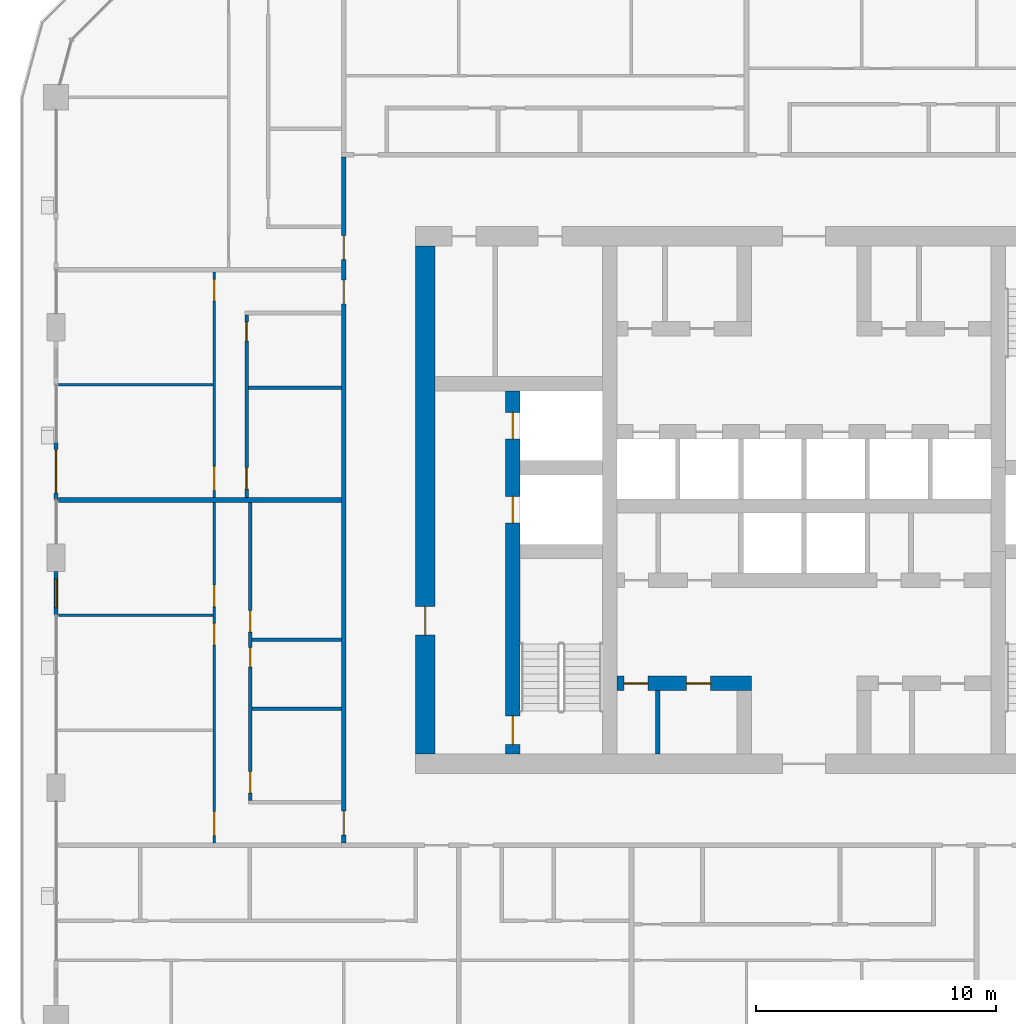
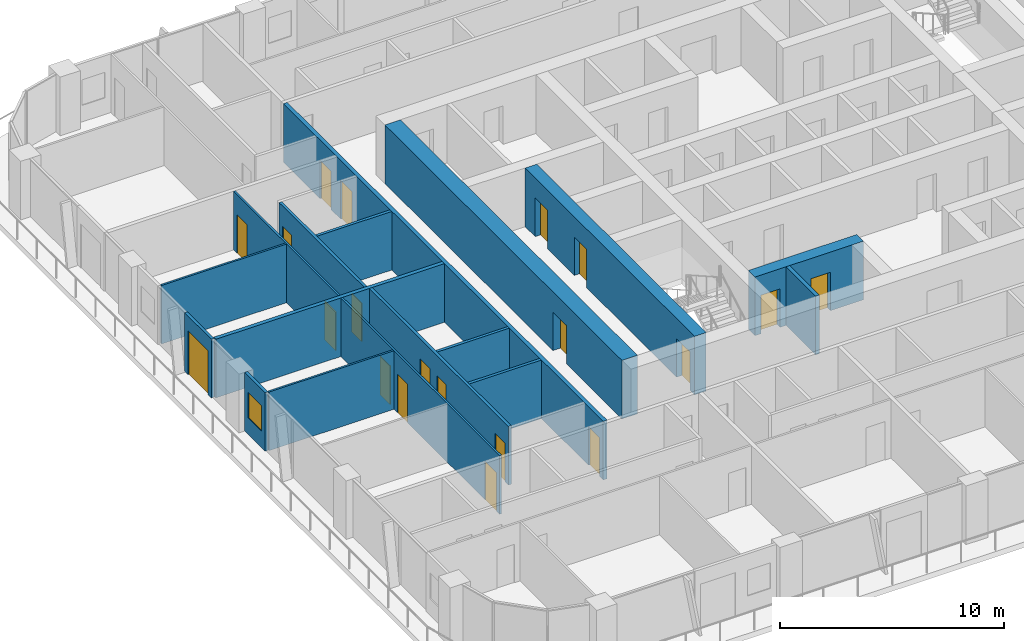
# One storey, part 10 of 22: 20 doors, 17 walls, 1 window, 21 openings.
"""IFC4 building model written with IfcOpenShell, lengths in metres."""

from ifc_helpers import new_model, si_unit, direction, frame, frame_2d, origin, place, context, subcontext, project, spatial, rectangle, extrude, material, layer, layer_set, type_object, element, fill, save


model = new_model("IFC4")

# Units and contexts
model_context = context("Model", 3, precision=1e-05, world=origin(), true_north=direction((0.0, 1.0)))
body_context = subcontext(model_context, "Body", "Model", "MODEL_VIEW")
ifc_project = project(units=[si_unit("LENGTHUNIT", "METRE"), si_unit("AREAUNIT", "SQUARE_METRE"), si_unit("VOLUMEUNIT", "CUBIC_METRE"), si_unit("PLANEANGLEUNIT", "RADIAN"), si_unit("MASSUNIT", "GRAM", prefix="KILO")], contexts=[model_context])

# Site, building, storey
site_placement = place(None, origin())
site = spatial("IfcSite", under=ifc_project, at=site_placement, CompositionType="ELEMENT")
building_placement = place(site_placement, origin())
building = spatial("IfcBuilding", under=site, at=building_placement, Name="Madar Terraces", CompositionType="ELEMENT")
storey_placement = place(building_placement, frame((0.0, 0.0, 166.5)))
storey = spatial("IfcBuildingStorey", under=building, at=storey_placement, Name="L43", CompositionType="ELEMENT", Elevation=166.5)

# Wall, openings, doors
ifc_material_1 = material(Name="Concrete C70/85", Category="concrete")
ifc_layer_1 = layer(ifc_material_1, 0.60009765625)
ifc_layer_set_1 = layer_set([ifc_layer_1], Name="Concrete C70/85 (CIW3 RC wall 600)")
wall_type_1 = type_object("IfcWallType", Name="CIW3 RC wall 600", PredefinedType="SHEAR", material=ifc_layer_set_1)
wall_1_placement = place(storey_placement, frame((19.050048828125, 15.800048828125, 0.0), z_axis=(0.0, 0.0, 1.0), x_axis=(0.0, 1.0, 0.0)))
wall_1 = element("IfcWall", 1, at=wall_1_placement, inside=storey, type_object=wall_type_1, Name="CORE SHAFT WALL", PredefinedType="SHEAR", context=body_context, shape_type="SweptSolid", body=[
    extrude(rectangle(XDim=15.14990234375, YDim=0.60009765625, at=frame_2d((7.574951171875, 0.0))), origin(), (0.0, 0.0, 1.0), 3.199951171875),
])
opening_1_placement = place(wall_1_placement, frame((9.64990234375, 0.0, 0.0)))
opening_1 = element("IfcOpeningElement", 2, at=opening_1_placement, cuts=wall_1, Name="Opening LD", PredefinedType="OPENING", context=body_context, shape_type="SweptSolid", body=[
    extrude(rectangle(XDim=1.10009765625, YDim=2.10009765625, at=frame_2d((0.550048828125, 1.050048828125))), frame((0.0, 0.31005859375, 0.0), z_axis=(0.0, -1.0, 0.0), x_axis=(1.0, 0.0, 0.0)), (0.0, 0.0, 1.0), 0.6201171875),
])
opening_2_placement = place(wall_1_placement, frame((13.14990234375, 0.0, 0.0)))
opening_2 = element("IfcOpeningElement", 3, at=opening_2_placement, cuts=wall_1, Name="Opening LD", PredefinedType="OPENING", context=body_context, shape_type="SweptSolid", body=[
    extrude(rectangle(XDim=1.10009765625, YDim=2.10009765625, at=frame_2d((0.550048828125, 1.050048828125))), frame((0.0, 0.31005859375, 0.0), z_axis=(0.0, -1.0, 0.0), x_axis=(1.0, 0.0, 0.0)), (0.0, 0.0, 1.0), 0.6201171875),
])
opening_3_placement = place(wall_1_placement, frame((0.39990234375, 0.0, 0.0)))
opening_3 = element("IfcOpeningElement", 4, at=opening_3_placement, cuts=wall_1, Name="Opening SD1", PredefinedType="OPENING", context=body_context, shape_type="SweptSolid", body=[
    extrude(rectangle(XDim=1.199951171875, YDim=2.10009765625, at=frame_2d((0.60009765625, 1.050048828125))), frame((0.0, 0.31005859375, 0.0), z_axis=(0.0, -1.0, 0.0), x_axis=(1.0, 0.0, 0.0)), (0.0, 0.0, 1.0), 0.6201171875),
])
ifc_material_2 = material(Name="Stainless steel panel", Category="steel")
door_type_1 = type_object("IfcDoorType", Name="Lift landing door 1100 x 2100", OperationType="DOUBLE_DOOR_SLIDING", PredefinedType="DOOR", material=ifc_material_2)
door_1_placement = place(opening_1_placement, origin())
door_1 = element("IfcDoor", 5, at=door_1_placement, inside=storey, type_object=door_type_1, Name="LIFT LANDING DOOR", OperationType="DOUBLE_DOOR_SLIDING", OverallHeight=2.10009765625, OverallWidth=1.10009765625, PredefinedType="DOOR", context=body_context, shape_type="SweptSolid", body=[
    extrude(rectangle(XDim=1.10009765625, YDim=2.10009765625, at=frame_2d((0.550048828125, 1.050048828125))), frame((0.0, 0.02490234375, 0.0), z_axis=(0.0, -1.0, 0.0), x_axis=(1.0, 0.0, 0.0)), (0.0, 0.0, 1.0), 0.050048828125),
])
fill(opening_1, door_1)
door_2_placement = place(opening_2_placement, origin())
door_2 = element("IfcDoor", 6, at=door_2_placement, inside=storey, type_object=door_type_1, Name="LIFT LANDING DOOR", OperationType="DOUBLE_DOOR_SLIDING", OverallHeight=2.10009765625, OverallWidth=1.10009765625, PredefinedType="DOOR", context=body_context, shape_type="SweptSolid", body=[
    extrude(rectangle(XDim=1.10009765625, YDim=2.10009765625, at=frame_2d((0.550048828125, 1.050048828125))), frame((0.0, 0.02490234375, 0.0), z_axis=(0.0, -1.0, 0.0), x_axis=(1.0, 0.0, 0.0)), (0.0, 0.0, 1.0), 0.050048828125),
])
fill(opening_2, door_2)
ifc_material_3 = material(Name="Steel door leaf", Category="steel")
door_type_2 = type_object("IfcDoorType", Name="Stair door 1200 x 2100", OperationType="NOTDEFINED", PredefinedType="DOOR", material=ifc_material_3)
door_3_placement = place(opening_3_placement, frame((1.199951171875, 0.0, 0.0), z_axis=(0.0, 0.0, 1.0), x_axis=(-1.0, 0.0, 0.0)))
door_3 = element("IfcDoor", 7, at=door_3_placement, inside=storey, type_object=door_type_2, Name="STAIR DOOR", OperationType="SINGLE_SWING_LEFT", OverallHeight=2.10009765625, OverallWidth=1.199951171875, PredefinedType="DOOR", context=body_context, shape_type="SweptSolid", body=[
    extrude(rectangle(XDim=1.199951171875, YDim=2.10009765625, at=frame_2d((0.60009765625, 1.050048828125))), frame((0.0, 0.02490234375, 0.0), z_axis=(0.0, -1.0, 0.0), x_axis=(1.0, 0.0, 0.0)), (0.0, 0.0, 1.0), 0.050048828125),
])
fill(opening_3, door_3)

wall_2_placement = place(storey_placement, frame((23.39990234375, 18.75, 0.0), z_axis=(0.0, 0.0, 1.0), x_axis=(1.0, 0.0, 0.0)))
wall_2 = element("IfcWall", 8, at=wall_2_placement, inside=storey, type_object=wall_type_1, Name="CORE SHAFT WALL", PredefinedType="SHEAR", context=body_context, shape_type="SweptSolid", body=[
    extrude(rectangle(XDim=5.60009765625, YDim=0.60009765625, at=frame_2d((2.800048828125, 0.0))), origin(), (0.0, 0.0, 1.0), 3.199951171875),
])
opening_4_placement = place(wall_2_placement, frame((0.300048828125, 0.0, 0.0)))
opening_4 = element("IfcOpeningElement", 9, at=opening_4_placement, cuts=wall_2, Name="Opening KD2", PredefinedType="OPENING", context=body_context, shape_type="SweptSolid", body=[
    extrude(rectangle(XDim=1.0, YDim=2.10009765625, at=frame_2d((0.5, 1.050048828125))), frame((0.0, 0.31005859375, 0.0), z_axis=(0.0, -1.0, 0.0), x_axis=(1.0, 0.0, 0.0)), (0.0, 0.0, 1.0), 0.6201171875),
])
opening_5_placement = place(wall_2_placement, frame((2.89990234375, 0.0, 0.0)))
opening_5 = element("IfcOpeningElement", 10, at=opening_5_placement, cuts=wall_2, Name="Opening KD2", PredefinedType="OPENING", context=body_context, shape_type="SweptSolid", body=[
    extrude(rectangle(XDim=1.0, YDim=2.10009765625, at=frame_2d((0.5, 1.050048828125))), frame((0.0, 0.31005859375, 0.0), z_axis=(0.0, -1.0, 0.0), x_axis=(1.0, 0.0, 0.0)), (0.0, 0.0, 1.0), 0.6201171875),
])
ifc_material_4 = material(Name="Steel door leaf", Category="steel")
door_type_3 = type_object("IfcDoorType", Name="Service room door 1000 x 2100", OperationType="NOTDEFINED", PredefinedType="DOOR", material=ifc_material_4)
door_4_placement = place(opening_4_placement, origin())
door_4 = element("IfcDoor", 11, at=door_4_placement, inside=storey, type_object=door_type_3, Name="SERVICE ROOM DOOR", OperationType="SINGLE_SWING_RIGHT", OverallHeight=2.10009765625, OverallWidth=1.0, PredefinedType="DOOR", context=body_context, shape_type="SweptSolid", body=[
    extrude(rectangle(XDim=1.0, YDim=2.10009765625, at=frame_2d((0.5, 1.050048828125))), frame((0.0, 0.02490234375, 0.0), z_axis=(0.0, -1.0, 0.0), x_axis=(1.0, 0.0, 0.0)), (0.0, 0.0, 1.0), 0.050048828125),
])
fill(opening_4, door_4)
door_5_placement = place(opening_5_placement, origin())
door_5 = element("IfcDoor", 12, at=door_5_placement, inside=storey, type_object=door_type_3, Name="SERVICE ROOM DOOR", OperationType="SINGLE_SWING_LEFT", OverallHeight=2.10009765625, OverallWidth=1.0, PredefinedType="DOOR", context=body_context, shape_type="SweptSolid", body=[
    extrude(rectangle(XDim=1.0, YDim=2.10009765625, at=frame_2d((0.5, 1.050048828125))), frame((0.0, 0.02490234375, 0.0), z_axis=(0.0, -1.0, 0.0), x_axis=(1.0, 0.0, 0.0)), (0.0, 0.0, 1.0), 0.050048828125),
])
fill(opening_5, door_5)

# Wall, opening, door
ifc_material_5 = material(Name="Concrete C70/85", Category="concrete")
ifc_layer_2 = layer(ifc_material_5, 0.800048828125)
ifc_layer_set_2 = layer_set([ifc_layer_2], Name="Concrete C70/85 (CRW3 RC wall 800)")
wall_type_2 = type_object("IfcWallType", Name="CRW3 RC wall 800", PredefinedType="SHEAR", material=ifc_layer_set_2)
wall_3_placement = place(storey_placement, frame((15.39990234375, 15.800048828125, 0.0), z_axis=(0.0, 0.0, 1.0), x_axis=(0.0, 1.0, 0.0)))
wall_3 = element("IfcWall", 13, at=wall_3_placement, inside=storey, type_object=wall_type_2, Name="CORE OUTER WALL", PredefinedType="SHEAR", context=body_context, shape_type="SweptSolid", body=[
    extrude(rectangle(XDim=21.199951171875, YDim=0.800048828125, at=frame_2d((10.60009765625, 0.0))), origin(), (0.0, 0.0, 1.0), 3.199951171875),
])
opening_6_placement = place(wall_3_placement, frame((4.9599609375, 0.0, 0.0)))
opening_6 = element("IfcOpeningElement", 14, at=opening_6_placement, cuts=wall_3, Name="Opening SD1", PredefinedType="OPENING", context=body_context, shape_type="SweptSolid", body=[
    extrude(rectangle(XDim=1.199951171875, YDim=2.10009765625, at=frame_2d((0.60009765625, 1.050048828125))), frame((0.0, 0.409912109375, 0.0), z_axis=(0.0, -1.0, 0.0), x_axis=(1.0, 0.0, 0.0)), (0.0, 0.0, 1.0), 0.820068359375),
])
door_6_placement = place(opening_6_placement, frame((1.199951171875, 0.0, 0.0), z_axis=(0.0, 0.0, 1.0), x_axis=(-1.0, 0.0, 0.0)))
door_6 = element("IfcDoor", 15, at=door_6_placement, inside=storey, type_object=door_type_2, Name="STAIR DOOR", OperationType="SINGLE_SWING_RIGHT", OverallHeight=2.10009765625, OverallWidth=1.199951171875, PredefinedType="DOOR", context=body_context, shape_type="SweptSolid", body=[
    extrude(rectangle(XDim=1.199951171875, YDim=2.10009765625, at=frame_2d((0.60009765625, 1.050048828125))), frame((0.0, 0.02490234375, 0.0), z_axis=(0.0, -1.0, 0.0), x_axis=(1.0, 0.0, 0.0)), (0.0, 0.0, 1.0), 0.050048828125),
])
fill(opening_6, door_6)

# Wall
ifc_material_6 = material(Name="Masonry blockwork", Category="masonry")
ifc_layer_3 = layer(ifc_material_6, 0.199951171875)
ifc_layer_set_3 = layer_set([ifc_layer_3], Name="Core partition 200 blockwork")
wall_type_3 = type_object("IfcWallType", Name="Core partition 200 blockwork", PredefinedType="PARTITIONING", material=ifc_layer_set_3)
wall_4_placement = place(storey_placement, frame((25.10009765625, 15.800048828125, 0.0), z_axis=(0.0, 0.0, 1.0), x_axis=(0.0, 1.0, 0.0)))
element("IfcWall", 16, at=wall_4_placement, inside=storey, type_object=wall_type_3, Name="SERVICE ROOM PARTITION", PredefinedType="PARTITIONING", context=body_context, shape_type="SweptSolid", body=[
    extrude(rectangle(XDim=2.64990234375, YDim=0.199951171875, at=frame_2d((1.324951171875, 0.0))), origin(), (0.0, 0.0, 1.0), 3.199951171875),
])

# Wall, opening, door
ifc_material_7 = material(Name="Aluminium composite panel, black, over insulated backing", Category="aluminium")
ifc_layer_4 = layer(ifc_material_7, 0.14990234375)
ifc_layer_set_4 = layer_set([ifc_layer_4], Name="Facade bay panel 150")
wall_type_4 = type_object("IfcWallType", Name="Facade bay panel 150", PredefinedType="SOLIDWALL", material=ifc_layer_set_4)
wall_5_placement = place(storey_placement, frame((0.0, 28.800048828125, 0.0), z_axis=(0.0, 0.0, 1.0), x_axis=(0.0, -1.0, 0.0)))
wall_5 = element("IfcWall", 17, at=wall_5_placement, inside=storey, type_object=wall_type_4, Name="Facade bay panel", PredefinedType="SOLIDWALL", context=body_context, shape_type="SweptSolid", body=[
    extrude(rectangle(XDim=2.400146484375, YDim=0.14990234375, at=frame_2d((1.2001953125, 0.0))), origin(), (0.0, 0.0, 1.0), 3.199951171875),
])
opening_7_placement = place(wall_5_placement, frame((0.300048828125, 0.0, 0.0)))
opening_7 = element("IfcOpeningElement", 18, at=opening_7_placement, cuts=wall_5, Name="Opening ED1", PredefinedType="OPENING", context=body_context, shape_type="SweptSolid", body=[
    extrude(rectangle(XDim=1.800048828125, YDim=2.39990234375, at=frame_2d((0.89990234375, 1.199951171875))), frame((0.0, 0.0849609375, 0.0), z_axis=(0.0, -1.0, 0.0), x_axis=(1.0, 0.0, 0.0)), (0.0, 0.0, 1.0), 0.169921875),
])
ifc_material_8 = material(Name="Glass, clear, with black aluminium frame", Category="aluminium")
door_type_4 = type_object("IfcDoorType", Name="Balcony and terrace sliding door 1800 x 2400", OperationType="SLIDING_TO_LEFT", PredefinedType="DOOR", material=ifc_material_8)
door_7_placement = place(opening_7_placement, origin())
door_7 = element("IfcDoor", 19, at=door_7_placement, inside=storey, type_object=door_type_4, Name="Balcony door", OperationType="SLIDING_TO_RIGHT", OverallHeight=2.39990234375, OverallWidth=1.800048828125, PredefinedType="DOOR", context=body_context, shape_type="SweptSolid", body=[
    extrude(rectangle(XDim=1.800048828125, YDim=2.39990234375, at=frame_2d((0.89990234375, 1.199951171875))), frame((0.0, 0.02490234375, 0.0), z_axis=(0.0, -1.0, 0.0), x_axis=(1.0, 0.0, 0.0)), (0.0, 0.0, 1.0), 0.050048828125),
])
fill(opening_7, door_7)

# Wall, opening, window
wall_6_placement = place(storey_placement, frame((0.0, 23.425048828125, 0.0), z_axis=(0.0, 0.0, 1.0), x_axis=(0.0, -1.0, 0.0)))
wall_6 = element("IfcWall", 20, at=wall_6_placement, inside=storey, type_object=wall_type_4, Name="Facade bay panel", PredefinedType="SOLIDWALL", context=body_context, shape_type="SweptSolid", body=[
    extrude(rectangle(XDim=1.824951171875, YDim=0.14990234375, at=frame_2d((0.91259765625, 0.0))), origin(), (0.0, 0.0, 1.0), 3.199951171875),
])
opening_8_placement = place(wall_6_placement, frame((0.3125, 0.0, 0.89990234375)))
opening_8 = element("IfcOpeningElement", 21, at=opening_8_placement, cuts=wall_6, Name="Opening W1", PredefinedType="OPENING", context=body_context, shape_type="SweptSolid", body=[
    extrude(rectangle(XDim=1.199951171875, YDim=1.39990234375, at=frame_2d((0.60009765625, 0.699951171875))), frame((0.0, 0.0849609375, 0.0), z_axis=(0.0, -1.0, 0.0), x_axis=(1.0, 0.0, 0.0)), (0.0, 0.0, 1.0), 0.169921875),
])
ifc_material_9 = material(Name="Glass, clear, with black aluminium frame", Category="aluminium")
window_type = type_object("IfcWindowType", Name="Vent window 1200 x 1400", PartitioningType="SINGLE_PANEL", PredefinedType="WINDOW", material=ifc_material_9)
window_placement = place(opening_8_placement, origin())
window = element("IfcWindow", 22, at=window_placement, inside=storey, type_object=window_type, Name="Operable vent window", OverallHeight=1.39990234375, OverallWidth=1.199951171875, PartitioningType="SINGLE_PANEL", PredefinedType="WINDOW", context=body_context, shape_type="SweptSolid", body=[
    extrude(rectangle(XDim=1.199951171875, YDim=1.39990234375, at=frame_2d((0.60009765625, 0.699951171875))), frame((0.0, 0.030029296875, 0.0), z_axis=(0.0, -1.0, 0.0), x_axis=(1.0, 0.0, 0.0)), (0.0, 0.0, 1.0), 0.06005859375),
])
fill(opening_8, window)

# Wall
ifc_material_10 = material(Name="Gypsum board on steel studs", Category="steel")
ifc_layer_5 = layer(ifc_material_10, 0.10009765625)
ifc_layer_set_5 = layer_set([ifc_layer_5], Name="Flat partition 100")
wall_type_5 = type_object("IfcWallType", Name="Flat partition 100", PredefinedType="PARTITIONING", material=ifc_layer_set_5)
wall_7_placement = place(storey_placement, frame((6.550048828125, 31.199951171875, 0.0), z_axis=(0.0, 0.0, 1.0), x_axis=(-1.0, 0.0, 0.0)))
element("IfcWall", 23, at=wall_7_placement, inside=storey, type_object=wall_type_5, Name="Flat partition 100", PredefinedType="PARTITIONING", context=body_context, shape_type="SweptSolid", body=[
    extrude(rectangle(XDim=6.449951171875, YDim=0.10009765625, at=frame_2d((3.22509765625, 0.0))), origin(), (0.0, 0.0, 1.0), 3.199951171875),
])

# Wall, openings, doors
wall_8_placement = place(storey_placement, frame((6.60009765625, 26.5, 0.0), z_axis=(0.0, 0.0, 1.0), x_axis=(0.0, 1.0, 0.0)))
wall_8 = element("IfcWall", 24, at=wall_8_placement, inside=storey, type_object=wall_type_5, Name="Flat partition 100", PredefinedType="PARTITIONING", context=body_context, shape_type="SweptSolid", body=[
    extrude(rectangle(XDim=9.39990234375, YDim=0.10009765625, at=frame_2d((4.699951171875, 0.0))), origin(), (0.0, 0.0, 1.0), 3.199951171875),
])
opening_9_placement = place(wall_8_placement, frame((8.199951171875, 0.0, 0.0)))
opening_9 = element("IfcOpeningElement", 25, at=opening_9_placement, cuts=wall_8, Name="Opening D2", PredefinedType="OPENING", context=body_context, shape_type="SweptSolid", body=[
    extrude(rectangle(XDim=0.89990234375, YDim=2.10009765625, at=frame_2d((0.449951171875, 1.050048828125))), frame((0.0, 0.06005859375, 0.0), z_axis=(0.0, -1.0, 0.0), x_axis=(1.0, 0.0, 0.0)), (0.0, 0.0, 1.0), 0.1201171875),
])
opening_10_placement = place(wall_8_placement, frame((0.300048828125, 0.0, 0.0)))
opening_10 = element("IfcOpeningElement", 26, at=opening_10_placement, cuts=wall_8, Name="Opening D3", PredefinedType="OPENING", context=body_context, shape_type="SweptSolid", body=[
    extrude(rectangle(XDim=1.0, YDim=2.10009765625, at=frame_2d((0.5, 1.050048828125))), frame((0.0, 0.06005859375, 0.0), z_axis=(0.0, -1.0, 0.0), x_axis=(1.0, 0.0, 0.0)), (0.0, 0.0, 1.0), 0.1201171875),
])
ifc_material_11 = material(Name="Timber door leaf", Category="wood")
door_type_5 = type_object("IfcDoorType", Name="Flat living room door 1000", OperationType="NOTDEFINED", PredefinedType="DOOR", material=ifc_material_11)
door_8_placement = place(opening_10_placement, origin())
door_8 = element("IfcDoor", 27, at=door_8_placement, inside=storey, type_object=door_type_5, Name="Flat living room door 1000", OperationType="SINGLE_SWING_LEFT", OverallHeight=2.10009765625, OverallWidth=1.0, PredefinedType="DOOR", context=body_context, shape_type="SweptSolid", body=[
    extrude(rectangle(XDim=1.0, YDim=2.10009765625, at=frame_2d((0.5, 1.050048828125))), frame((0.0, 0.02490234375, 0.0), z_axis=(0.0, -1.0, 0.0), x_axis=(1.0, 0.0, 0.0)), (0.0, 0.0, 1.0), 0.050048828125),
])
fill(opening_10, door_8)
ifc_material_12 = material(Name="Timber door leaf", Category="wood")
door_type_6 = type_object("IfcDoorType", Name="Flat room door 900", OperationType="NOTDEFINED", PredefinedType="DOOR", material=ifc_material_12)
door_9_placement = place(opening_9_placement, origin())
door_9 = element("IfcDoor", 28, at=door_9_placement, inside=storey, type_object=door_type_6, Name="Flat room door 900", OperationType="SINGLE_SWING_RIGHT", OverallHeight=2.10009765625, OverallWidth=0.89990234375, PredefinedType="DOOR", context=body_context, shape_type="SweptSolid", body=[
    extrude(rectangle(XDim=0.89990234375, YDim=2.10009765625, at=frame_2d((0.449951171875, 1.050048828125))), frame((0.0, 0.02490234375, 0.0), z_axis=(0.0, -1.0, 0.0), x_axis=(1.0, 0.0, 0.0)), (0.0, 0.0, 1.0), 0.050048828125),
])
fill(opening_9, door_9)

# Wall
wall_9_placement = place(storey_placement, frame((6.550048828125, 21.60009765625, 0.0), z_axis=(0.0, 0.0, 1.0), x_axis=(-1.0, 0.0, 0.0)))
element("IfcWall", 29, at=wall_9_placement, inside=storey, type_object=wall_type_5, Name="Flat partition 100", PredefinedType="PARTITIONING", context=body_context, shape_type="SweptSolid", body=[
    extrude(rectangle(XDim=6.449951171875, YDim=0.10009765625, at=frame_2d((3.22509765625, 0.0))), origin(), (0.0, 0.0, 1.0), 3.199951171875),
])

# Wall, openings, doors
wall_10_placement = place(storey_placement, frame((6.60009765625, 12.10009765625, 0.0), z_axis=(0.0, 0.0, 1.0), x_axis=(0.0, 1.0, 0.0)))
wall_10 = element("IfcWall", 30, at=wall_10_placement, inside=storey, type_object=wall_type_5, Name="Flat partition 100", PredefinedType="PARTITIONING", context=body_context, shape_type="SweptSolid", body=[
    extrude(rectangle(XDim=14.199951171875, YDim=0.10009765625, at=frame_2d((7.10009765625, 0.0))), origin(), (0.0, 0.0, 1.0), 3.199951171875),
])
opening_11_placement = place(wall_10_placement, frame((0.300048828125, 0.0, 0.0)))
opening_11 = element("IfcOpeningElement", 31, at=opening_11_placement, cuts=wall_10, Name="Opening D3", PredefinedType="OPENING", context=body_context, shape_type="SweptSolid", body=[
    extrude(rectangle(XDim=1.0, YDim=2.10009765625, at=frame_2d((0.5, 1.050048828125))), frame((0.0, 0.06005859375, 0.0), z_axis=(0.0, -1.0, 0.0), x_axis=(1.0, 0.0, 0.0)), (0.0, 0.0, 1.0), 0.1201171875),
])
opening_12_placement = place(wall_10_placement, frame((8.25, 0.0, 0.0)))
opening_12 = element("IfcOpeningElement", 32, at=opening_12_placement, cuts=wall_10, Name="Opening D2", PredefinedType="OPENING", context=body_context, shape_type="SweptSolid", body=[
    extrude(rectangle(XDim=0.89990234375, YDim=2.10009765625, at=frame_2d((0.449951171875, 1.050048828125))), frame((0.0, 0.06005859375, 0.0), z_axis=(0.0, -1.0, 0.0), x_axis=(1.0, 0.0, 0.0)), (0.0, 0.0, 1.0), 0.1201171875),
])
opening_13_placement = place(wall_10_placement, frame((9.85009765625, 0.0, 0.0)))
opening_13 = element("IfcOpeningElement", 33, at=opening_13_placement, cuts=wall_10, Name="Opening D2", PredefinedType="OPENING", context=body_context, shape_type="SweptSolid", body=[
    extrude(rectangle(XDim=0.89990234375, YDim=2.10009765625, at=frame_2d((0.449951171875, 1.050048828125))), frame((0.0, 0.06005859375, 0.0), z_axis=(0.0, -1.0, 0.0), x_axis=(1.0, 0.0, 0.0)), (0.0, 0.0, 1.0), 0.1201171875),
])
door_10_placement = place(opening_11_placement, origin())
door_10 = element("IfcDoor", 34, at=door_10_placement, inside=storey, type_object=door_type_5, Name="Flat living room door 1000", OperationType="SINGLE_SWING_LEFT", OverallHeight=2.10009765625, OverallWidth=1.0, PredefinedType="DOOR", context=body_context, shape_type="SweptSolid", body=[
    extrude(rectangle(XDim=1.0, YDim=2.10009765625, at=frame_2d((0.5, 1.050048828125))), frame((0.0, 0.02490234375, 0.0), z_axis=(0.0, -1.0, 0.0), x_axis=(1.0, 0.0, 0.0)), (0.0, 0.0, 1.0), 0.050048828125),
])
fill(opening_11, door_10)
door_11_placement = place(opening_12_placement, origin())
door_11 = element("IfcDoor", 35, at=door_11_placement, inside=storey, type_object=door_type_6, Name="Flat room door 900", OperationType="SINGLE_SWING_RIGHT", OverallHeight=2.10009765625, OverallWidth=0.89990234375, PredefinedType="DOOR", context=body_context, shape_type="SweptSolid", body=[
    extrude(rectangle(XDim=0.89990234375, YDim=2.10009765625, at=frame_2d((0.449951171875, 1.050048828125))), frame((0.0, 0.02490234375, 0.0), z_axis=(0.0, -1.0, 0.0), x_axis=(1.0, 0.0, 0.0)), (0.0, 0.0, 1.0), 0.050048828125),
])
fill(opening_12, door_11)
door_12_placement = place(opening_13_placement, origin())
door_12 = element("IfcDoor", 36, at=door_12_placement, inside=storey, type_object=door_type_6, Name="Flat room door 900", OperationType="SINGLE_SWING_LEFT", OverallHeight=2.10009765625, OverallWidth=0.89990234375, PredefinedType="DOOR", context=body_context, shape_type="SweptSolid", body=[
    extrude(rectangle(XDim=0.89990234375, YDim=2.10009765625, at=frame_2d((0.449951171875, 1.050048828125))), frame((0.0, 0.02490234375, 0.0), z_axis=(0.0, -1.0, 0.0), x_axis=(1.0, 0.0, 0.0)), (0.0, 0.0, 1.0), 0.050048828125),
])
fill(opening_13, door_12)

ifc_material_13 = material(Name="Lightweight blockwork", Category="masonry")
ifc_layer_6 = layer(ifc_material_13, 0.199951171875)
ifc_layer_set_6 = layer_set([ifc_layer_6], Name="Flat party and entrance wall 200")
wall_type_6 = type_object("IfcWallType", Name="Flat party and entrance wall 200", PredefinedType="PARTITIONING", material=ifc_layer_set_6)
wall_11_placement = place(storey_placement, frame((12.0, 12.10009765625, 0.0), z_axis=(0.0, 0.0, 1.0), x_axis=(0.0, 1.0, 0.0)))
wall_11 = element("IfcWall", 37, at=wall_11_placement, inside=storey, type_object=wall_type_6, Name="Flat party and entrance wall 200", PredefinedType="PARTITIONING", context=body_context, shape_type="SweptSolid", body=[
    extrude(rectangle(XDim=28.599853515625, YDim=0.199951171875, at=frame_2d((14.2998046875, 0.0))), origin(), (0.0, 0.0, 1.0), 3.199951171875),
])
opening_14_placement = place(wall_11_placement, frame((24.324951171875, 0.0, 0.0)))
opening_14 = element("IfcOpeningElement", 38, at=opening_14_placement, cuts=wall_11, Name="Opening D1", PredefinedType="OPENING", context=body_context, shape_type="SweptSolid", body=[
    extrude(rectangle(XDim=1.0, YDim=2.10009765625, at=frame_2d((0.5, 1.050048828125))), frame((0.0, 0.10986328125, 0.0), z_axis=(0.0, -1.0, 0.0), x_axis=(1.0, 0.0, 0.0)), (0.0, 0.0, 1.0), 0.219970703125),
])
opening_15_placement = place(wall_11_placement, frame((22.47509765625, 0.0, 0.0)))
opening_15 = element("IfcOpeningElement", 39, at=opening_15_placement, cuts=wall_11, Name="Opening D1", PredefinedType="OPENING", context=body_context, shape_type="SweptSolid", body=[
    extrude(rectangle(XDim=1.0, YDim=2.10009765625, at=frame_2d((0.5, 1.050048828125))), frame((0.0, 0.10986328125, 0.0), z_axis=(0.0, -1.0, 0.0), x_axis=(1.0, 0.0, 0.0)), (0.0, 0.0, 1.0), 0.219970703125),
])
opening_16_placement = place(wall_11_placement, frame((0.324951171875, 0.0, 0.0)))
opening_16 = element("IfcOpeningElement", 40, at=opening_16_placement, cuts=wall_11, Name="Opening D1", PredefinedType="OPENING", context=body_context, shape_type="SweptSolid", body=[
    extrude(rectangle(XDim=1.0, YDim=2.10009765625, at=frame_2d((0.5, 1.050048828125))), frame((0.0, 0.10986328125, 0.0), z_axis=(0.0, -1.0, 0.0), x_axis=(1.0, 0.0, 0.0)), (0.0, 0.0, 1.0), 0.219970703125),
])
ifc_material_14 = material(Name="Timber fire door leaf", Category="wood")
door_type_7 = type_object("IfcDoorType", Name="Flat entrance door 1000 FD30S", OperationType="NOTDEFINED", PredefinedType="DOOR", material=ifc_material_14)
door_13_placement = place(opening_14_placement, origin())
door_13 = element("IfcDoor", 41, at=door_13_placement, inside=storey, type_object=door_type_7, Name="Flat entrance door 1000 FD30S", OperationType="SINGLE_SWING_LEFT", OverallHeight=2.10009765625, OverallWidth=1.0, PredefinedType="DOOR", context=body_context, shape_type="SweptSolid", body=[
    extrude(rectangle(XDim=1.0, YDim=2.10009765625, at=frame_2d((0.5, 1.050048828125))), frame((0.0, 0.02490234375, 0.0), z_axis=(0.0, -1.0, 0.0), x_axis=(1.0, 0.0, 0.0)), (0.0, 0.0, 1.0), 0.050048828125),
])
fill(opening_14, door_13)
door_14_placement = place(opening_15_placement, origin())
door_14 = element("IfcDoor", 42, at=door_14_placement, inside=storey, type_object=door_type_7, Name="Flat entrance door 1000 FD30S", OperationType="SINGLE_SWING_RIGHT", OverallHeight=2.10009765625, OverallWidth=1.0, PredefinedType="DOOR", context=body_context, shape_type="SweptSolid", body=[
    extrude(rectangle(XDim=1.0, YDim=2.10009765625, at=frame_2d((0.5, 1.050048828125))), frame((0.0, 0.02490234375, 0.0), z_axis=(0.0, -1.0, 0.0), x_axis=(1.0, 0.0, 0.0)), (0.0, 0.0, 1.0), 0.050048828125),
])
fill(opening_15, door_14)
door_15_placement = place(opening_16_placement, origin())
door_15 = element("IfcDoor", 43, at=door_15_placement, inside=storey, type_object=door_type_7, Name="Flat entrance door 1000 FD30S", OperationType="SINGLE_SWING_LEFT", OverallHeight=2.10009765625, OverallWidth=1.0, PredefinedType="DOOR", context=body_context, shape_type="SweptSolid", body=[
    extrude(rectangle(XDim=1.0, YDim=2.10009765625, at=frame_2d((0.5, 1.050048828125))), frame((0.0, 0.02490234375, 0.0), z_axis=(0.0, -1.0, 0.0), x_axis=(1.0, 0.0, 0.0)), (0.0, 0.0, 1.0), 0.050048828125),
])
fill(opening_16, door_15)

# Walls
wall_12_placement = place(storey_placement, frame((0.10009765625, 26.39990234375, 0.0), z_axis=(0.0, 0.0, 1.0), x_axis=(1.0, 0.0, 0.0)))
element("IfcWall", 44, at=wall_12_placement, inside=storey, type_object=wall_type_6, Name="Flat party and entrance wall 200", PredefinedType="PARTITIONING", context=body_context, shape_type="SweptSolid", body=[
    extrude(rectangle(XDim=11.7998046875, YDim=0.199951171875, at=frame_2d((5.89990234375, 0.0))), origin(), (0.0, 0.0, 1.0), 3.199951171875),
])
ifc_material_15 = material(Name="Lightweight blockwork", Category="masonry")
ifc_layer_7 = layer(ifc_material_15, 0.14990234375)
ifc_layer_set_7 = layer_set([ifc_layer_7], Name="Flat wet-room partition 150")
wall_type_7 = type_object("IfcWallType", Name="Flat wet-room partition 150", PredefinedType="PARTITIONING", material=ifc_layer_set_7)
wall_13_placement = place(storey_placement, frame((11.89990234375, 31.074951171875, 0.0), z_axis=(0.0, 0.0, 1.0), x_axis=(-1.0, 0.0, 0.0)))
element("IfcWall", 45, at=wall_13_placement, inside=storey, type_object=wall_type_7, Name="Flat wet-room partition 150", PredefinedType="PARTITIONING", context=body_context, shape_type="SweptSolid", body=[
    extrude(rectangle(XDim=3.875, YDim=0.14990234375, at=frame_2d((1.9375, 0.0))), origin(), (0.0, 0.0, 1.0), 3.199951171875),
])

# Wall, openings, doors
wall_14_placement = place(storey_placement, frame((7.949951171875, 34.125, 0.0), z_axis=(0.0, 0.0, 1.0), x_axis=(0.0, -1.0, 0.0)))
wall_14 = element("IfcWall", 46, at=wall_14_placement, inside=storey, type_object=wall_type_7, Name="Flat wet-room partition 150", PredefinedType="PARTITIONING", context=body_context, shape_type="SweptSolid", body=[
    extrude(rectangle(XDim=7.625, YDim=0.14990234375, at=frame_2d((3.8125, 0.0))), origin(), (0.0, 0.0, 1.0), 3.199951171875),
])
opening_17_placement = place(wall_14_placement, frame((0.300048828125, 0.0, 0.0)))
opening_17 = element("IfcOpeningElement", 47, at=opening_17_placement, cuts=wall_14, Name="Opening D4", PredefinedType="OPENING", context=body_context, shape_type="SweptSolid", body=[
    extrude(rectangle(XDim=0.800048828125, YDim=2.10009765625, at=frame_2d((0.39990234375, 1.050048828125))), frame((0.0, 0.0849609375, 0.0), z_axis=(0.0, -1.0, 0.0), x_axis=(1.0, 0.0, 0.0)), (0.0, 0.0, 1.0), 0.169921875),
])
opening_18_placement = place(wall_14_placement, frame((6.375, 0.0, 0.0)))
opening_18 = element("IfcOpeningElement", 48, at=opening_18_placement, cuts=wall_14, Name="Opening D2", PredefinedType="OPENING", context=body_context, shape_type="SweptSolid", body=[
    extrude(rectangle(XDim=0.89990234375, YDim=2.10009765625, at=frame_2d((0.449951171875, 1.050048828125))), frame((0.0, 0.0849609375, 0.0), z_axis=(0.0, -1.0, 0.0), x_axis=(1.0, 0.0, 0.0)), (0.0, 0.0, 1.0), 0.169921875),
])
ifc_material_16 = material(Name="Timber door leaf", Category="wood")
door_type_8 = type_object("IfcDoorType", Name="Flat bathroom door 800", OperationType="NOTDEFINED", PredefinedType="DOOR", material=ifc_material_16)
door_16_placement = place(opening_17_placement, origin())
door_16 = element("IfcDoor", 49, at=door_16_placement, inside=storey, type_object=door_type_8, Name="Flat bathroom door 800", OperationType="SINGLE_SWING_LEFT", OverallHeight=2.10009765625, OverallWidth=0.800048828125, PredefinedType="DOOR", context=body_context, shape_type="SweptSolid", body=[
    extrude(rectangle(XDim=0.800048828125, YDim=2.10009765625, at=frame_2d((0.39990234375, 1.050048828125))), frame((0.0, 0.02490234375, 0.0), z_axis=(0.0, -1.0, 0.0), x_axis=(1.0, 0.0, 0.0)), (0.0, 0.0, 1.0), 0.050048828125),
])
fill(opening_17, door_16)
door_17_placement = place(opening_18_placement, origin())
door_17 = element("IfcDoor", 50, at=door_17_placement, inside=storey, type_object=door_type_6, Name="Flat room door 900", OperationType="SINGLE_SWING_RIGHT", OverallHeight=2.10009765625, OverallWidth=0.89990234375, PredefinedType="DOOR", context=body_context, shape_type="SweptSolid", body=[
    extrude(rectangle(XDim=0.89990234375, YDim=2.10009765625, at=frame_2d((0.449951171875, 1.050048828125))), frame((0.0, 0.02490234375, 0.0), z_axis=(0.0, -1.0, 0.0), x_axis=(1.0, 0.0, 0.0)), (0.0, 0.0, 1.0), 0.050048828125),
])
fill(opening_18, door_17)

# Walls
for number, where, z_axis, x_axis, name in (
    (51, (11.89990234375, 17.697998046875, 0.0), (0.0, 0.0, 1.0), (-1.0, 0.0, 0.0), "Flat wet-room partition 150"),
    (52, (11.89990234375, 20.5654296875, 0.0), (0.0, 0.0, 1.0), (-1.0, 0.0, 0.0), "Flat wet-room partition 150"),
):
    element("IfcWall", number, at=place(storey_placement, frame(where, z_axis=z_axis, x_axis=x_axis)), inside=storey, type_object=wall_type_7, Name=name, PredefinedType="PARTITIONING", context=body_context, shape_type="SweptSolid", body=[
        extrude(rectangle(XDim=3.724853515625, YDim=0.14990234375, at=frame_2d((1.8623046875, 0.0))), origin(), (0.0, 0.0, 1.0), 3.199951171875),
    ])

# Wall, openings, doors
wall_15_placement = place(storey_placement, frame((8.10009765625, 26.300048828125, 0.0), z_axis=(0.0, 0.0, 1.0), x_axis=(0.0, -1.0, 0.0)))
wall_15 = element("IfcWall", 53, at=wall_15_placement, inside=storey, type_object=wall_type_7, Name="Flat wet-room partition 150", PredefinedType="PARTITIONING", context=body_context, shape_type="SweptSolid", body=[
    extrude(rectangle(XDim=12.425048828125, YDim=0.14990234375, at=frame_2d((6.21240234375, 0.0))), origin(), (0.0, 0.0, 1.0), 3.199951171875),
])
opening_19_placement = place(wall_15_placement, frame((11.22509765625, 0.0, 0.0)))
opening_19 = element("IfcOpeningElement", 54, at=opening_19_placement, cuts=wall_15, Name="Opening D5", PredefinedType="OPENING", context=body_context, shape_type="SweptSolid", body=[
    extrude(rectangle(XDim=0.89990234375, YDim=2.10009765625, at=frame_2d((0.449951171875, 1.050048828125))), frame((0.0, 0.0849609375, 0.0), z_axis=(0.0, -1.0, 0.0), x_axis=(1.0, 0.0, 0.0)), (0.0, 0.0, 1.0), 0.169921875),
])
opening_20_placement = place(wall_15_placement, frame((6.0595703125, 0.0, 0.0)))
opening_20 = element("IfcOpeningElement", 55, at=opening_20_placement, cuts=wall_15, Name="Opening D4", PredefinedType="OPENING", context=body_context, shape_type="SweptSolid", body=[
    extrude(rectangle(XDim=0.800048828125, YDim=2.10009765625, at=frame_2d((0.39990234375, 1.050048828125))), frame((0.0, 0.0849609375, 0.0), z_axis=(0.0, -1.0, 0.0), x_axis=(1.0, 0.0, 0.0)), (0.0, 0.0, 1.0), 0.169921875),
])
opening_21_placement = place(wall_15_placement, frame((4.509521484375, 0.0, 0.0)))
opening_21 = element("IfcOpeningElement", 56, at=opening_21_placement, cuts=wall_15, Name="Opening D2", PredefinedType="OPENING", context=body_context, shape_type="SweptSolid", body=[
    extrude(rectangle(XDim=0.89990234375, YDim=2.10009765625, at=frame_2d((0.449951171875, 1.050048828125))), frame((0.0, 0.0849609375, 0.0), z_axis=(0.0, -1.0, 0.0), x_axis=(1.0, 0.0, 0.0)), (0.0, 0.0, 1.0), 0.169921875),
])
ifc_material_17 = material(Name="Timber door leaf", Category="wood")
door_type_9 = type_object("IfcDoorType", Name="Flat accessible bathroom door 900", OperationType="NOTDEFINED", PredefinedType="DOOR", material=ifc_material_17)
door_18_placement = place(opening_19_placement, origin())
door_18 = element("IfcDoor", 57, at=door_18_placement, inside=storey, type_object=door_type_9, Name="Flat accessible bathroom door 900", OperationType="SINGLE_SWING_RIGHT", OverallHeight=2.10009765625, OverallWidth=0.89990234375, PredefinedType="DOOR", context=body_context, shape_type="SweptSolid", body=[
    extrude(rectangle(XDim=0.89990234375, YDim=2.10009765625, at=frame_2d((0.449951171875, 1.050048828125))), frame((0.0, 0.02490234375, 0.0), z_axis=(0.0, -1.0, 0.0), x_axis=(1.0, 0.0, 0.0)), (0.0, 0.0, 1.0), 0.050048828125),
])
fill(opening_19, door_18)
door_19_placement = place(opening_20_placement, origin())
door_19 = element("IfcDoor", 58, at=door_19_placement, inside=storey, type_object=door_type_8, Name="Flat bathroom door 800", OperationType="SINGLE_SWING_LEFT", OverallHeight=2.10009765625, OverallWidth=0.800048828125, PredefinedType="DOOR", context=body_context, shape_type="SweptSolid", body=[
    extrude(rectangle(XDim=0.800048828125, YDim=2.10009765625, at=frame_2d((0.39990234375, 1.050048828125))), frame((0.0, 0.02490234375, 0.0), z_axis=(0.0, -1.0, 0.0), x_axis=(1.0, 0.0, 0.0)), (0.0, 0.0, 1.0), 0.050048828125),
])
fill(opening_20, door_19)
door_20_placement = place(opening_21_placement, origin())
door_20 = element("IfcDoor", 59, at=door_20_placement, inside=storey, type_object=door_type_6, Name="Flat room door 900", OperationType="SINGLE_SWING_RIGHT", OverallHeight=2.10009765625, OverallWidth=0.89990234375, PredefinedType="DOOR", context=body_context, shape_type="SweptSolid", body=[
    extrude(rectangle(XDim=0.89990234375, YDim=2.10009765625, at=frame_2d((0.449951171875, 1.050048828125))), frame((0.0, 0.02490234375, 0.0), z_axis=(0.0, -1.0, 0.0), x_axis=(1.0, 0.0, 0.0)), (0.0, 0.0, 1.0), 0.050048828125),
])
fill(opening_21, door_20)

save(model, "model.ifc")
